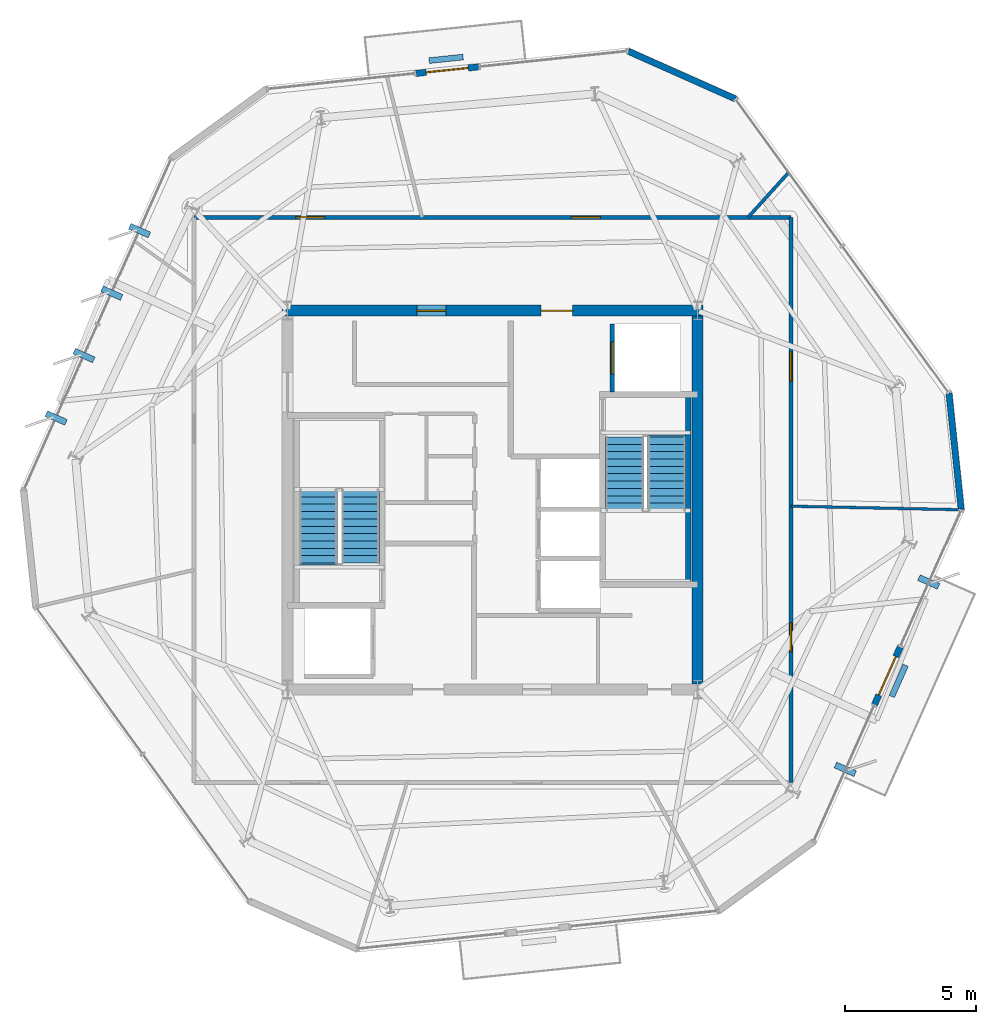
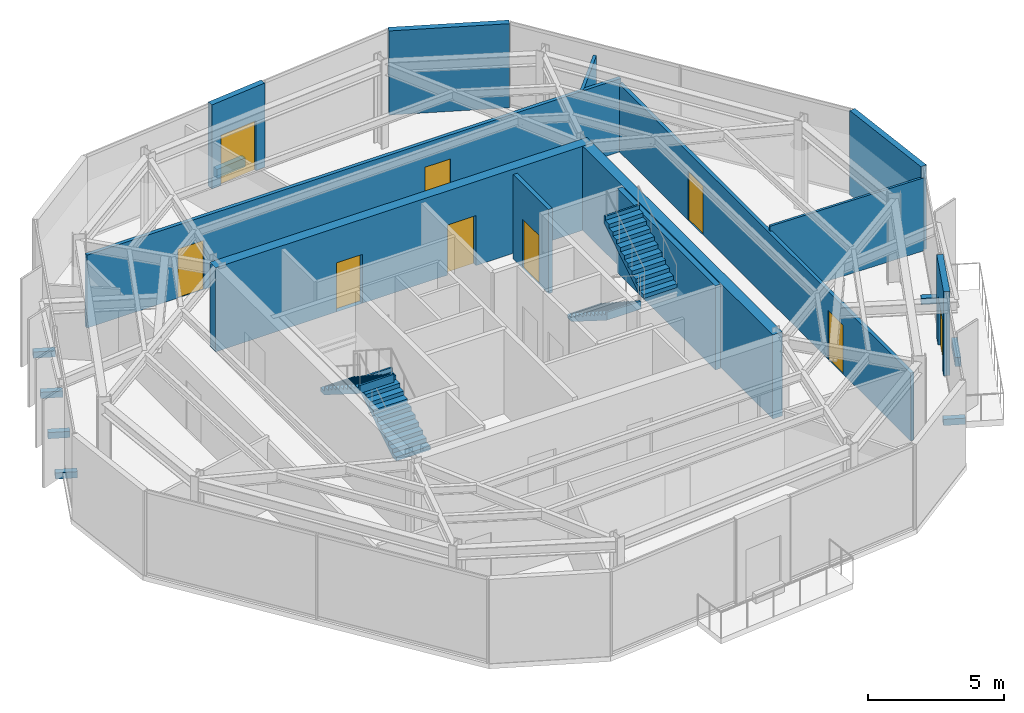
# One storey, part 8 of 11: 14 walls, 9 doors, 6 discrete accessories, 4 stair flights, 9 openings, 2 elements without a shape of their own.
"""IFC4 building model written with IfcOpenShell, lengths in metres."""

from ifc_helpers import new_model, si_unit, direction, frame, frame_2d, origin, origin_2d, place, context, subcontext, project, spatial, polyline, rectangle, outline, extrude, material, layer, layer_set, type_object, element, fill, aggregate, save


model = new_model("IFC4")

# Units and contexts
model_context = context("Model", 3, precision=1e-05, world=origin(), true_north=direction((0.0, 1.0)))
body_context = subcontext(model_context, "Body", "Model", "MODEL_VIEW")
ifc_project = project(units=[si_unit("LENGTHUNIT", "METRE"), si_unit("AREAUNIT", "SQUARE_METRE"), si_unit("VOLUMEUNIT", "CUBIC_METRE"), si_unit("PLANEANGLEUNIT", "RADIAN"), si_unit("MASSUNIT", "GRAM", prefix="KILO")], contexts=[model_context])

# Site, building, storey
site_placement = place(None, origin())
site = spatial("IfcSite", under=ifc_project, at=site_placement, CompositionType="ELEMENT")
building_placement = place(site_placement, origin())
building = spatial("IfcBuilding", under=site, at=building_placement, Name="Kranzbogen Civic Tower", CompositionType="ELEMENT")
storey_placement = place(building_placement, frame((0.0, 0.0, 290.199951171875)))
storey = spatial("IfcBuildingStorey", under=building, at=storey_placement, Name="L70", CompositionType="ELEMENT", Elevation=290.199951171875)

# Wall, openings, doors
ifc_material_1 = material(Name="Double-Stud Acoustic Gypsum Partition")
ifc_layer_1 = layer(ifc_material_1, 0.14990234375, Name="Double-Stud Acoustic Gypsum Partition")
ifc_layer_set_1 = layer_set([ifc_layer_1], Name="Double-Stud Acoustic Gypsum Partition")
wall_type_1 = type_object("IfcWallType", Name="Acoustic Corridor and Clinical Partition 150 mm", PredefinedType="PARTITIONING", material=ifc_layer_set_1)
wall_1_placement = place(storey_placement, frame((13.64990234375, 35.75, 0.0), z_axis=(0.0, 0.0, 1.0), x_axis=(1.0, 0.0, 0.0)))
wall_1 = element("IfcWall", 1, at=wall_1_placement, inside=storey, type_object=wall_type_1, Name="L70 corridor partition 01", PredefinedType="PARTITIONING", context=body_context, shape_type="SweptSolid", body=[
    extrude(rectangle(XDim=22.7001953125, YDim=0.14990234375, at=frame_2d((11.35009765625, 0.0))), origin(), (0.0, 0.0, 1.0), 3.280029296875),
])
opening_1_placement = place(wall_1_placement, frame((14.35595703125, 0.0, 0.0)))
opening_1 = element("IfcOpeningElement", 2, at=opening_1_placement, cuts=wall_1, Name="Opening D-COR60", PredefinedType="OPENING", context=body_context, shape_type="SweptSolid", body=[
    extrude(rectangle(XDim=1.10009765625, YDim=2.199951171875, at=frame_2d((0.550048828125, 1.10009765625))), frame((0.0, 0.0849609375, 0.0), z_axis=(0.0, -1.0, 0.0), x_axis=(1.0, 0.0, 0.0)), (0.0, 0.0, 1.0), 0.169921875),
])
opening_2_placement = place(wall_1_placement, frame((3.87109375, 0.0, 0.0)))
opening_2 = element("IfcOpeningElement", 3, at=opening_2_placement, cuts=wall_1, Name="Opening D-COR60", PredefinedType="OPENING", context=body_context, shape_type="SweptSolid", body=[
    extrude(rectangle(XDim=1.10009765625, YDim=2.199951171875, at=frame_2d((0.550048828125, 1.10009765625))), frame((0.0, 0.0849609375, 0.0), z_axis=(0.0, -1.0, 0.0), x_axis=(1.0, 0.0, 0.0)), (0.0, 0.0, 1.0), 0.169921875),
])
ifc_material_2 = material(Name="Oak Timber and Fire Core", Category="wood")
door_type_1 = type_object("IfcDoorType", Name="Corridor Acoustic Fire Door 1100x2200", OperationType="NOTDEFINED", PredefinedType="DOOR", material=ifc_material_2)
door_1_placement = place(opening_1_placement, origin())
door_1 = element("IfcDoor", 4, at=door_1_placement, inside=storey, type_object=door_type_1, Name="L70 Central Mail Post Room door", OperationType="SINGLE_SWING_RIGHT", OverallHeight=2.199951171875, OverallWidth=1.10009765625, PredefinedType="DOOR", context=body_context, shape_type="SweptSolid", body=[
    extrude(rectangle(XDim=1.10009765625, YDim=2.199951171875, at=frame_2d((0.550048828125, 1.10009765625))), frame((0.0, 0.02490234375, 0.0), z_axis=(0.0, -1.0, 0.0), x_axis=(1.0, 0.0, 0.0)), (0.0, 0.0, 1.0), 0.050048828125),
])
fill(opening_1, door_1)
door_2_placement = place(opening_2_placement, origin())
door_2 = element("IfcDoor", 5, at=door_2_placement, inside=storey, type_object=door_type_1, Name="L70 Duty Crew Control Room door", OperationType="SINGLE_SWING_LEFT", OverallHeight=2.199951171875, OverallWidth=1.10009765625, PredefinedType="DOOR", context=body_context, shape_type="SweptSolid", body=[
    extrude(rectangle(XDim=1.10009765625, YDim=2.199951171875, at=frame_2d((0.550048828125, 1.10009765625))), frame((0.0, 0.02490234375, 0.0), z_axis=(0.0, -1.0, 0.0), x_axis=(1.0, 0.0, 0.0)), (0.0, 0.0, 1.0), 0.050048828125),
])
fill(opening_2, door_2)

wall_2_placement = place(storey_placement, frame((36.35009765625, 35.75, 0.0), z_axis=(0.0, 0.0, 1.0), x_axis=(0.0, -1.0, 0.0)))
wall_2 = element("IfcWall", 6, at=wall_2_placement, inside=storey, type_object=wall_type_1, Name="L70 corridor partition 02", PredefinedType="PARTITIONING", context=body_context, shape_type="SweptSolid", body=[
    extrude(rectangle(XDim=21.5, YDim=0.14990234375, at=frame_2d((10.75, 0.0))), origin(), (0.0, 0.0, 1.0), 3.050048828125),
])
opening_3_placement = place(wall_2_placement, frame((15.4208984375, 0.0, 0.0)))
opening_3 = element("IfcOpeningElement", 7, at=opening_3_placement, cuts=wall_2, Name="Opening D-COR60", PredefinedType="OPENING", context=body_context, shape_type="SweptSolid", body=[
    extrude(rectangle(XDim=1.10009765625, YDim=2.199951171875, at=frame_2d((0.550048828125, 1.10009765625))), frame((0.0, 0.0849609375, 0.0), z_axis=(0.0, -1.0, 0.0), x_axis=(1.0, 0.0, 0.0)), (0.0, 0.0, 1.0), 0.169921875),
])
opening_4_placement = place(wall_2_placement, frame((5.126953125, 0.0, 0.0)))
opening_4 = element("IfcOpeningElement", 8, at=opening_4_placement, cuts=wall_2, Name="Opening D-COR60", PredefinedType="OPENING", context=body_context, shape_type="SweptSolid", body=[
    extrude(rectangle(XDim=1.10009765625, YDim=2.199951171875, at=frame_2d((0.550048828125, 1.10009765625))), frame((0.0, 0.0849609375, 0.0), z_axis=(0.0, -1.0, 0.0), x_axis=(1.0, 0.0, 0.0)), (0.0, 0.0, 1.0), 0.169921875),
])
door_3_placement = place(opening_3_placement, origin())
door_3 = element("IfcDoor", 9, at=door_3_placement, inside=storey, type_object=door_type_1, Name="L70 Protocol Entrance Reception door", OperationType="SINGLE_SWING_RIGHT", OverallHeight=2.199951171875, OverallWidth=1.10009765625, PredefinedType="DOOR", context=body_context, shape_type="SweptSolid", body=[
    extrude(rectangle(XDim=1.10009765625, YDim=2.199951171875, at=frame_2d((0.550048828125, 1.10009765625))), frame((0.0, 0.02490234375, 0.0), z_axis=(0.0, -1.0, 0.0), x_axis=(1.0, 0.0, 0.0)), (0.0, 0.0, 1.0), 0.050048828125),
])
fill(opening_3, door_3)
door_4_placement = place(opening_4_placement, origin())
door_4 = element("IfcDoor", 10, at=door_4_placement, inside=storey, type_object=door_type_1, Name="L70 Operations Security Control Room door", OperationType="SINGLE_SWING_LEFT", OverallHeight=2.199951171875, OverallWidth=1.10009765625, PredefinedType="DOOR", context=body_context, shape_type="SweptSolid", body=[
    extrude(rectangle(XDim=1.10009765625, YDim=2.199951171875, at=frame_2d((0.550048828125, 1.10009765625))), frame((0.0, 0.02490234375, 0.0), z_axis=(0.0, -1.0, 0.0), x_axis=(1.0, 0.0, 0.0)), (0.0, 0.0, 1.0), 0.050048828125),
])
fill(opening_4, door_4)

# Walls
ifc_material_3 = material(Name="Insulated Metal-Stud Gypsum Partition")
ifc_layer_2 = layer(ifc_material_3, 0.125, Name="Insulated Metal-Stud Gypsum Partition")
ifc_layer_set_2 = layer_set([ifc_layer_2], Name="Insulated Metal-Stud Gypsum Partition")
wall_type_2 = type_object("IfcWallType", Name="Acoustic Inter-Room Partition 125 mm", PredefinedType="PARTITIONING", material=ifc_layer_set_2)
wall_3_placement = place(storey_placement, frame((34.721923828125, 35.75, 0.0), z_axis=(0.0, 0.0, 1.0), x_axis=(0.670832257331, 0.741609117072, 0.0)))
element("IfcWall", 11, at=wall_3_placement, inside=storey, type_object=wall_type_2, Name="L70 radial room partition 07", PredefinedType="PARTITIONING", context=body_context, shape_type="SweptSolid", body=[
    extrude(rectangle(XDim=2.286865234375, YDim=0.125, at=frame_2d((1.1435546875, 0.0))), origin(), (0.0, 0.0, 1.0), 3.280029296875),
])
ifc_material_4 = material(Name="Architectural Precast Terracotta Concrete C40/50", Category="masonry")
ifc_layer_3 = layer(ifc_material_4, 0.219970703125, Name="Architectural Precast Terracotta Concrete C40/50")
ifc_layer_set_3 = layer_set([ifc_layer_3], Name="Architectural Precast Terracotta Concrete C40/50")
wall_type_3 = type_object("IfcWallType", Name="Architectural Tree Planter Kerb Wall 220 mm", PredefinedType="USERDEFINED", material=ifc_layer_set_3)
wall_4_placement = place(storey_placement, frame((23.883056640625, 41.845947265625, 0.0), z_axis=(0.0, 0.0, 1.0), x_axis=(-0.994506482607, -0.104675002043, 0.0)))
element("IfcWall", 12, at=wall_4_placement, inside=storey, type_object=wall_type_3, Name="L70 landscaped tree balcony planter L70-TB1", ObjectType="PLANTER_WALL", PredefinedType="USERDEFINED", context=body_context, shape_type="SweptSolid", body=[
    extrude(rectangle(XDim=1.299072265625, YDim=0.219970703125, at=frame_2d((0.6494140625, 0.0))), origin(), (0.0, 0.0, 1.0), 0.400146484375),
])
wall_5_placement = place(storey_placement, frame((40.18701171875, 17.527099609375, 0.0), z_axis=(0.0, 0.0, 1.0), x_axis=(0.406190736957, 0.913788315317, 0.0)))
element("IfcWall", 13, at=wall_5_placement, inside=storey, type_object=wall_type_3, Name="L70 landscaped tree balcony planter L70-ST", ObjectType="PLANTER_WALL", PredefinedType="USERDEFINED", context=body_context, shape_type="SweptSolid", body=[
    extrude(rectangle(XDim=1.300048828125, YDim=0.219970703125, at=frame_2d((0.64990234375, 0.0))), origin(), (0.0, 0.0, 1.0), 0.400146484375),
])

# Wall, openings, doors
ifc_material_5 = material(Name="Concrete C45/55", Category="concrete")
ifc_layer_4 = layer(ifc_material_5, 0.419921875, Name="Concrete C45/55")
ifc_layer_set_4 = layer_set([ifc_layer_4], Name="Concrete C45/55")
wall_type_4 = type_object("IfcWallType", Name="Central Core Shear Wall 420 mm", PredefinedType="SHEAR", material=ifc_layer_set_4)
wall_6_placement = place(storey_placement, frame((33.010009765625, 32.199951171875, 0.0), z_axis=(0.0, 0.0, 1.0), x_axis=(-1.0, 0.0, 0.0)))
wall_6 = element("IfcWall", 14, at=wall_6_placement, inside=storey, type_object=wall_type_4, Name="L70 central core North shear wall", PredefinedType="SHEAR", context=body_context, shape_type="SweptSolid", body=[
    extrude(rectangle(XDim=16.02001953125, YDim=0.419921875, at=frame_2d((8.010009765625, 0.0))), origin(), (0.0, 0.0, 1.0), 3.780029296875),
])
opening_5_placement = place(wall_6_placement, frame((4.9599609375, 0.0, 0.0)))
opening_5 = element("IfcOpeningElement", 15, at=opening_5_placement, cuts=wall_6, Name="Opening D-EX120", PredefinedType="OPENING", context=body_context, shape_type="SweptSolid", body=[
    extrude(rectangle(XDim=1.199951171875, YDim=2.25, at=frame_2d((0.60009765625, 1.125))), frame((0.0, 0.219970703125, 0.0), z_axis=(0.0, -1.0, 0.0), x_axis=(1.0, 0.0, 0.0)), (0.0, 0.0, 1.0), 0.43994140625),
])
opening_6_placement = place(wall_6_placement, frame((9.784912109375, 0.0, 0.0)))
opening_6 = element("IfcOpeningElement", 16, at=opening_6_placement, cuts=wall_6, Name="Opening D-COR60", PredefinedType="OPENING", context=body_context, shape_type="SweptSolid", body=[
    extrude(rectangle(XDim=1.10009765625, YDim=2.199951171875, at=frame_2d((0.550048828125, 1.10009765625))), frame((0.0, 0.219970703125, 0.0), z_axis=(0.0, -1.0, 0.0), x_axis=(1.0, 0.0, 0.0)), (0.0, 0.0, 1.0), 0.43994140625),
])
door_5_placement = place(opening_6_placement, origin())
door_5 = element("IfcDoor", 17, at=door_5_placement, inside=storey, type_object=door_type_1, Name="L70 DAT1 comms room door", OperationType="SINGLE_SWING_LEFT", OverallHeight=2.199951171875, OverallWidth=1.10009765625, PredefinedType="DOOR", context=body_context, shape_type="SweptSolid", body=[
    extrude(rectangle(XDim=1.10009765625, YDim=2.199951171875, at=frame_2d((0.550048828125, 1.10009765625))), frame((0.0, 0.02490234375, 0.0), z_axis=(0.0, -1.0, 0.0), x_axis=(1.0, 0.0, 0.0)), (0.0, 0.0, 1.0), 0.050048828125),
])
fill(opening_6, door_5)
ifc_material_6 = material(Name="Steel S355", Category="steel")
door_type_2 = type_object("IfcDoorType", Name="Exit Passageway Fire Door 1200x2250", OperationType="NOTDEFINED", PredefinedType="DOOR", material=ifc_material_6)
door_6_placement = place(opening_5_placement, origin())
door_6 = element("IfcDoor", 18, at=door_6_placement, inside=storey, type_object=door_type_2, Name="L70 East firefighting lobby corridor door", OperationType="SINGLE_SWING_RIGHT", OverallHeight=2.25, OverallWidth=1.199951171875, PredefinedType="DOOR", context=body_context, shape_type="SweptSolid", body=[
    extrude(rectangle(XDim=1.199951171875, YDim=2.25, at=frame_2d((0.60009765625, 1.125))), frame((0.0, 0.02490234375, 0.0), z_axis=(0.0, -1.0, 0.0), x_axis=(1.0, 0.0, 0.0)), (0.0, 0.0, 1.0), 0.050048828125),
])
fill(opening_5, door_6)

# Walls
wall_7_placement = place(storey_placement, frame((32.800048828125, 18.010009765625, 0.0), z_axis=(0.0, 0.0, 1.0), x_axis=(0.0, 1.0, 0.0)))
element("IfcWall", 19, at=wall_7_placement, inside=storey, type_object=wall_type_4, Name="L70 central core East shear wall", PredefinedType="SHEAR", context=body_context, shape_type="SweptSolid", body=[
    extrude(rectangle(XDim=13.97998046875, YDim=0.419921875, at=frame_2d((6.989990234375, 0.0))), origin(), (0.0, 0.0, 1.0), 3.780029296875),
])
ifc_layer_5 = layer(ifc_material_5, 0.219970703125, Name="Concrete C45/55")
ifc_layer_set_5 = layer_set([ifc_layer_5], Name="Concrete C45/55")
wall_type_5 = type_object("IfcWallType", Name="Core Internal Stair Structural Wall 220 mm", PredefinedType="SOLIDWALL", material=ifc_layer_set_5)
wall_8_placement = place(storey_placement, frame((32.445068359375, 29.010009765625, 0.0), z_axis=(0.0, 0.0, 1.0), x_axis=(0.0, -1.0, 0.0)))
element("IfcWall", 20, at=wall_8_placement, inside=storey, type_object=wall_type_5, Name="L70 ST-T2 East structural stair wall", PredefinedType="SOLIDWALL", context=body_context, shape_type="SweptSolid", body=[
    extrude(rectangle(XDim=7.219970703125, YDim=0.219970703125, at=frame_2d((3.60986328125, 0.0))), origin(), (0.0, 0.0, 1.0), 3.780029296875),
])
ifc_material_7 = material(Name="Demountable Aluminium and Gypsum Partition", Category="aluminium")
ifc_layer_6 = layer(ifc_material_7, 0.10009765625, Name="Demountable Aluminium and Gypsum Partition")
ifc_layer_set_6 = layer_set([ifc_layer_6], Name="Demountable Aluminium and Gypsum Partition")
wall_type_6 = type_object("IfcWallType", Name="Demountable Office Partition 100 mm", PredefinedType="MOVABLE", material=ifc_layer_set_6)
wall_9_placement = place(storey_placement, frame((36.35009765625, 24.763916015625, 0.0), z_axis=(0.0, 0.0, 1.0), x_axis=(0.999781743548, -0.020891751216, 0.0)))
element("IfcWall", 21, at=wall_9_placement, inside=storey, type_object=wall_type_6, Name="L70 radial room partition 06", PredefinedType="MOVABLE", context=body_context, shape_type="SweptSolid", body=[
    extrude(rectangle(XDim=6.46240234375, YDim=0.10009765625, at=frame_2d((3.231201171875, 0.0))), origin(), (0.0, 0.0, 1.0), 3.280029296875),
])

# Wall, opening, door
ifc_material_8 = material(Name="Gypsum Fireboard Shaftliner")
ifc_layer_7 = layer(ifc_material_8, 0.175048828125, Name="Gypsum Fireboard Shaftliner")
ifc_layer_set_7 = layer_set([ifc_layer_7], Name="Gypsum Fireboard Shaftliner")
wall_type_7 = type_object("IfcWallType", Name="Fire-Rated Lift and Service Shaft Wall 175 mm", PredefinedType="PARTITIONING", material=ifc_layer_set_7)
wall_10_placement = place(storey_placement, frame((29.550048828125, 29.10009765625, 0.0), z_axis=(0.0, 0.0, 1.0), x_axis=(0.0, 1.0, 0.0)))
wall_10 = element("IfcWall", 22, at=wall_10_placement, inside=storey, type_object=wall_type_7, Name="L70 lift FF-02 landing wall", PredefinedType="PARTITIONING", context=body_context, shape_type="SweptSolid", body=[
    extrude(rectangle(XDim=2.599853515625, YDim=0.175048828125, at=frame_2d((1.2998046875, 0.0))), origin(), (0.0, 0.0, 1.0), 3.780029296875),
])
opening_7_placement = place(wall_10_placement, frame((0.699951171875, 0.0, 0.0)))
opening_7 = element("IfcOpeningElement", 23, at=opening_7_placement, cuts=wall_10, Name="Opening LD-FF-02", PredefinedType="OPENING", context=body_context, shape_type="SweptSolid", body=[
    extrude(rectangle(XDim=1.199951171875, YDim=2.199951171875, at=frame_2d((0.60009765625, 1.10009765625))), frame((0.0, 0.09765625, 0.0), z_axis=(0.0, -1.0, 0.0), x_axis=(1.0, 0.0, 0.0)), (0.0, 0.0, 1.0), 0.195068359375),
])
ifc_material_9 = material(Name="Pale Anodised Aluminium", Category="aluminium")
door_type_3 = type_object("IfcDoorType", Name="Firefighting and Stretcher Lift Sliding Landing Door 1200x2200", OperationType="DOUBLE_DOOR_SLIDING", PredefinedType="DOOR", material=ifc_material_9)
door_7_placement = place(opening_7_placement, origin())
door_7 = element("IfcDoor", 24, at=door_7_placement, inside=storey, type_object=door_type_3, Name="L70 lift FF-02 sliding landing door", OperationType="DOUBLE_DOOR_SLIDING", OverallHeight=2.199951171875, OverallWidth=1.199951171875, PredefinedType="DOOR", context=body_context, shape_type="SweptSolid", body=[
    extrude(rectangle(XDim=1.199951171875, YDim=2.199951171875, at=frame_2d((0.60009765625, 1.10009765625))), frame((0.0, 0.02490234375, 0.0), z_axis=(0.0, -1.0, 0.0), x_axis=(1.0, 0.0, 0.0)), (0.0, 0.0, 1.0), 0.050048828125),
])
fill(opening_7, door_7)

ifc_layer_8 = layer(ifc_material_9, 0.239990234375, Name="Pale Anodised Aluminium")
ifc_layer_set_8 = layer_set([ifc_layer_8], Name="Pale Anodised Aluminium")
wall_type_8 = type_object("IfcWallType", Name="Insulated Aluminium Facade Portal Wall 240 mm", PredefinedType="STANDARD", material=ifc_layer_set_8)
wall_11_placement = place(storey_placement, frame((24.47509765625, 41.472900390625, 0.0), z_axis=(0.0, 0.0, 1.0), x_axis=(-0.994518820344, -0.104557716027, 0.0)))
wall_11 = element("IfcWall", 25, at=wall_11_placement, inside=storey, type_object=wall_type_8, Name="L70 exterior entrance portal wall 1", PredefinedType="STANDARD", context=body_context, shape_type="SweptSolid", body=[
    extrude(rectangle(XDim=2.400390625, YDim=0.239990234375, at=frame_2d((1.2001953125, 0.0))), origin(), (0.0, 0.0, 1.0), 3.780029296875),
])
opening_8_placement = place(wall_11_placement, frame((0.39990234375, 0.0, 0.0)))
opening_8 = element("IfcOpeningElement", 26, at=opening_8_placement, cuts=wall_11, Name="Opening D-TER", PredefinedType="OPENING", context=body_context, shape_type="SweptSolid", body=[
    extrude(rectangle(XDim=1.60009765625, YDim=2.25, at=frame_2d((0.800048828125, 1.125))), frame((0.0, 0.1298828125, 0.0), z_axis=(0.0, -1.0, 0.0), x_axis=(1.0, 0.0, 0.0)), (0.0, 0.0, 1.0), 0.260009765625),
])
ifc_material_10 = material(Name="Anodised Bronze and Triple Glass", Category="glass")
door_type_4 = type_object("IfcDoorType", Name="Glazed Terrace and Balcony Double Door 1600x2250", OperationType="DOUBLE_DOOR_SINGLE_SWING", PredefinedType="DOOR", material=ifc_material_10)
door_8_placement = place(opening_8_placement, frame((1.60009765625, 0.0, 0.0), z_axis=(0.0, 0.0, 1.0), x_axis=(-1.0, 0.0, 0.0)))
door_8 = element("IfcDoor", 27, at=door_8_placement, inside=storey, type_object=door_type_4, Name="L70 tree balcony access door L70-TB1", OperationType="DOUBLE_DOOR_SINGLE_SWING", OverallHeight=2.25, OverallWidth=1.60009765625, PredefinedType="DOOR", context=body_context, shape_type="SweptSolid", body=[
    extrude(rectangle(XDim=1.60009765625, YDim=2.25, at=frame_2d((0.800048828125, 1.125))), frame((0.0, 0.02490234375, 0.0), z_axis=(0.0, -1.0, 0.0), x_axis=(1.0, 0.0, 0.0)), (0.0, 0.0, 1.0), 0.050048828125),
])
fill(opening_8, door_8)

wall_12_placement = place(storey_placement, frame((39.529052734375, 17.218017578125, 0.0), z_axis=(0.0, 0.0, 1.0), x_axis=(0.406563117163, 0.913622696611, 0.0)))
wall_12 = element("IfcWall", 28, at=wall_12_placement, inside=storey, type_object=wall_type_8, Name="L70 exterior entrance portal wall 1", PredefinedType="STANDARD", context=body_context, shape_type="SweptSolid", body=[
    extrude(rectangle(XDim=2.400146484375, YDim=0.239990234375, at=frame_2d((1.2001953125, 0.0))), origin(), (0.0, 0.0, 1.0), 3.780029296875),
])
opening_9_placement = place(wall_12_placement, frame((0.39990234375, 0.0, 0.0)))
opening_9 = element("IfcOpeningElement", 29, at=opening_9_placement, cuts=wall_12, Name="Opening D-TER", PredefinedType="OPENING", context=body_context, shape_type="SweptSolid", body=[
    extrude(rectangle(XDim=1.60009765625, YDim=2.25, at=frame_2d((0.800048828125, 1.125))), frame((0.0, 0.1298828125, 0.0), z_axis=(0.0, -1.0, 0.0), x_axis=(1.0, 0.0, 0.0)), (0.0, 0.0, 1.0), 0.260009765625),
])
door_9_placement = place(opening_9_placement, frame((1.60009765625, 0.0, 0.0), z_axis=(0.0, 0.0, 1.0), x_axis=(-1.0, 0.0, 0.0)))
door_9 = element("IfcDoor", 30, at=door_9_placement, inside=storey, type_object=door_type_4, Name="L70 spiral terrace access door L70-ST", OperationType="DOUBLE_DOOR_SINGLE_SWING", OverallHeight=2.25, OverallWidth=1.60009765625, PredefinedType="DOOR", context=body_context, shape_type="SweptSolid", body=[
    extrude(rectangle(XDim=1.60009765625, YDim=2.25, at=frame_2d((0.800048828125, 1.125))), frame((0.0, 0.02490234375, 0.0), z_axis=(0.0, -1.0, 0.0), x_axis=(1.0, 0.0, 0.0)), (0.0, 0.0, 1.0), 0.050048828125),
])
fill(opening_9, door_9)

# Walls
wall_13_placement = place(storey_placement, frame((42.827880859375, 24.62890625, 0.0), z_axis=(0.0, 0.0, 1.0), x_axis=(-0.104553844109, 0.994519227407, 0.0)))
element("IfcWall", 31, at=wall_13_placement, inside=storey, type_object=wall_type_8, Name="L70 chamfered corner facade spandrel 5", PredefinedType="STANDARD", context=body_context, shape_type="SweptSolid", body=[
    extrude(rectangle(XDim=4.464599609375, YDim=0.239990234375, at=frame_2d((2.232421875, 0.0))), origin(), (0.0, 0.0, 1.0), 3.780029296875),
])
wall_14_placement = place(storey_placement, frame((34.235107421875, 40.25390625, 0.0), z_axis=(0.0, 0.0, 1.0), x_axis=(-0.913506843716, 0.406823360297, 0.0)))
element("IfcWall", 32, at=wall_14_placement, inside=storey, type_object=wall_type_8, Name="L70 chamfered corner facade spandrel 6", PredefinedType="STANDARD", context=body_context, shape_type="SweptSolid", body=[
    extrude(rectangle(XDim=4.46435546875, YDim=0.239990234375, at=frame_2d((2.232177734375, 0.0))), origin(), (0.0, 0.0, 1.0), 3.780029296875),
])

# Stair, stair flights
ifc_material_11 = material(Name="Precast concrete C40/50", Category="concrete")
stair_type_1 = type_object("IfcStairType", Name="Tower Core Pressurized Dogleg Stair 1450", PredefinedType="HALF_TURN_STAIR", material=ifc_material_11)
stair_1_placement = place(storey_placement, origin())
stair_1 = element("IfcStair", 33, at=stair_1_placement, inside=storey, type_object=stair_type_1, Name="L70 Tower Core Pressurized Stair 1", PredefinedType="HALF_TURN_STAIR")
stair_flight_type = type_object("IfcStairFlightType", Name="Precast Concrete Stair Flight R180", PredefinedType="STRAIGHT", material=ifc_material_11)
stair_flight_1_placement = place(storey_placement, frame((19.97509765625, 22.60009765625, 0.0), z_axis=(0.0, 0.0, 1.0), x_axis=(0.0, 1.0, 0.0)))
stair_flight_1 = element("IfcStairFlight", 34, at=stair_flight_1_placement, type_object=stair_flight_type, Name="ST-T1 flight 1", NumberOfRisers=11, NumberOfTreads=10, PredefinedType="STRAIGHT", RiserHeight=0.181818182, TreadLength=0.28, context=body_context, shape_type="SweptSolid", body=[
    extrude(outline(polyline([(0.0, 0.0), (0.0, 0.181884765625), (0.280029296875, 0.181884765625), (0.280029296875, 0.363525390625), (0.56005859375, 0.363525390625), (0.56005859375, 0.54541015625), (0.840087890625, 0.54541015625), (0.840087890625, 0.727294921875), (1.1201171875, 0.727294921875), (1.1201171875, 0.9091796875), (1.39990234375, 0.9091796875), (1.39990234375, 1.0908203125), (1.679931640625, 1.0908203125), (1.679931640625, 1.272705078125), (1.9599609375, 1.272705078125), (1.9599609375, 1.45458984375), (2.239990234375, 1.45458984375), (2.239990234375, 1.636474609375), (2.52001953125, 1.636474609375), (2.52001953125, 1.818115234375), (2.800048828125, 1.818115234375), (2.800048828125, 2.0), (2.880126953125, 2.0), (2.880126953125, 1.639404296875), (0.275146484375, 0.0), (0.0, 0.0)])), frame((0.0, 0.72509765625, 0.0), z_axis=(0.0, -1.0, 0.0), x_axis=(1.0, 0.0, 0.0)), (0.0, 0.0, 1.0), 1.449951171875),
])
stair_flight_2_placement = place(storey_placement, frame((18.375, 25.39990234375, 2.0), z_axis=(0.0, 0.0, 1.0), x_axis=(0.0, -1.0, 0.0)))
stair_flight_2 = element("IfcStairFlight", 35, at=stair_flight_2_placement, type_object=stair_flight_type, Name="ST-T1 flight 2", NumberOfRisers=11, NumberOfTreads=10, PredefinedType="STRAIGHT", RiserHeight=0.181818182, TreadLength=0.28, context=body_context, shape_type="SweptSolid", body=[
    extrude(outline(polyline([(0.0, 0.0), (0.0, 0.181884765625), (0.280029296875, 0.181884765625), (0.280029296875, 0.363525390625), (0.56005859375, 0.363525390625), (0.56005859375, 0.54541015625), (0.840087890625, 0.54541015625), (0.840087890625, 0.727294921875), (1.1201171875, 0.727294921875), (1.1201171875, 0.9091796875), (1.39990234375, 0.9091796875), (1.39990234375, 1.0908203125), (1.679931640625, 1.0908203125), (1.679931640625, 1.272705078125), (1.9599609375, 1.272705078125), (1.9599609375, 1.45458984375), (2.239990234375, 1.45458984375), (2.239990234375, 1.636474609375), (2.52001953125, 1.636474609375), (2.52001953125, 1.818115234375), (2.800048828125, 1.818115234375), (2.800048828125, 2.0), (2.880126953125, 2.0), (2.880126953125, 1.639404296875), (0.275146484375, 0.0), (0.0, 0.0)])), frame((0.0, 0.72509765625, 0.0), z_axis=(0.0, -1.0, 0.0), x_axis=(1.0, 0.0, 0.0)), (0.0, 0.0, 1.0), 1.449951171875),
])
aggregate(stair_1, [stair_flight_1, stair_flight_2])

stair_type_2 = type_object("IfcStairType", Name="Tower Core Secondary Dogleg Stair 1450", PredefinedType="HALF_TURN_STAIR", material=ifc_material_11)
stair_2_placement = place(storey_placement, origin())
stair_2 = element("IfcStair", 36, at=stair_2_placement, inside=storey, type_object=stair_type_2, Name="L70 Tower Core Pressurized Stair 2", PredefinedType="HALF_TURN_STAIR")
stair_flight_3_placement = place(storey_placement, frame((30.02490234375, 27.39990234375, 0.0), z_axis=(0.0, 0.0, 1.0), x_axis=(0.0, -1.0, 0.0)))
stair_flight_3 = element("IfcStairFlight", 37, at=stair_flight_3_placement, type_object=stair_flight_type, Name="ST-T2 flight 1", NumberOfRisers=11, NumberOfTreads=10, PredefinedType="STRAIGHT", RiserHeight=0.181818182, TreadLength=0.28, context=body_context, shape_type="SweptSolid", body=[
    extrude(outline(polyline([(0.0, 0.0), (0.0, 0.181884765625), (0.280029296875, 0.181884765625), (0.280029296875, 0.363525390625), (0.56005859375, 0.363525390625), (0.56005859375, 0.54541015625), (0.840087890625, 0.54541015625), (0.840087890625, 0.727294921875), (1.1201171875, 0.727294921875), (1.1201171875, 0.9091796875), (1.39990234375, 0.9091796875), (1.39990234375, 1.0908203125), (1.679931640625, 1.0908203125), (1.679931640625, 1.272705078125), (1.9599609375, 1.272705078125), (1.9599609375, 1.45458984375), (2.239990234375, 1.45458984375), (2.239990234375, 1.636474609375), (2.52001953125, 1.636474609375), (2.52001953125, 1.818115234375), (2.800048828125, 1.818115234375), (2.800048828125, 2.0), (2.880126953125, 2.0), (2.880126953125, 1.639404296875), (0.275146484375, 0.0), (0.0, 0.0)])), frame((0.0, 0.72509765625, 0.0), z_axis=(0.0, -1.0, 0.0), x_axis=(1.0, 0.0, 0.0)), (0.0, 0.0, 1.0), 1.449951171875),
])
stair_flight_4_placement = place(storey_placement, frame((31.625, 24.60009765625, 2.0), z_axis=(0.0, 0.0, 1.0), x_axis=(0.0, 1.0, 0.0)))
stair_flight_4 = element("IfcStairFlight", 38, at=stair_flight_4_placement, type_object=stair_flight_type, Name="ST-T2 flight 2", NumberOfRisers=11, NumberOfTreads=10, PredefinedType="STRAIGHT", RiserHeight=0.181818182, TreadLength=0.28, context=body_context, shape_type="SweptSolid", body=[
    extrude(outline(polyline([(0.0, 0.0), (0.0, 0.181884765625), (0.280029296875, 0.181884765625), (0.280029296875, 0.363525390625), (0.56005859375, 0.363525390625), (0.56005859375, 0.54541015625), (0.840087890625, 0.54541015625), (0.840087890625, 0.727294921875), (1.1201171875, 0.727294921875), (1.1201171875, 0.9091796875), (1.39990234375, 0.9091796875), (1.39990234375, 1.0908203125), (1.679931640625, 1.0908203125), (1.679931640625, 1.272705078125), (1.9599609375, 1.272705078125), (1.9599609375, 1.45458984375), (2.239990234375, 1.45458984375), (2.239990234375, 1.636474609375), (2.52001953125, 1.636474609375), (2.52001953125, 1.818115234375), (2.800048828125, 1.818115234375), (2.800048828125, 2.0), (2.880126953125, 2.0), (2.880126953125, 1.639404296875), (0.275146484375, 0.0), (0.0, 0.0)])), frame((0.0, 0.72509765625, 0.0), z_axis=(0.0, -1.0, 0.0), x_axis=(1.0, 0.0, 0.0)), (0.0, 0.0, 1.0), 1.449951171875),
])
aggregate(stair_2, [stair_flight_3, stair_flight_4])

# Discrete accessories
discrete_accessory_type = type_object("IfcDiscreteAccessoryType", Name="Structural Curtain-Wall Fin Support Bracket", PredefinedType="BRACKET", material=ifc_material_6)
for number, where, z_axis, x_axis, name in (
    (39, (11.580078125, 35.243896484375, -0.25), (0.0, 0.0, 1.0), (-0.913545457643, 0.406736643076, 0.0), "L70 facade fin support bracket F2-1"),
    (40, (10.52197265625, 32.868896484375, -0.25), (0.0, 0.0, 1.0), (-0.913545457643, 0.406736643076, 0.0), "L70 facade fin support bracket F2-2"),
    (41, (9.465087890625, 30.493896484375, -0.25), (0.0, 0.0, 1.0), (-0.913545457643, 0.406736643076, 0.0), "L70 facade fin support bracket F2-3"),
    (42, (8.406982421875, 28.118896484375, -0.25), (0.0, 0.0, 1.0), (-0.913545457643, 0.406736643076, 0.0), "L70 facade fin support bracket F2-4"),
    (43, (38.419921875, 14.756103515625, -0.25), (0.0, 0.0, 1.0), (0.913545457643, -0.406736643076, 0.0), "L70 facade fin support bracket F5-1"),
    (44, (41.593017578125, 21.881103515625, -0.25), (0.0, 0.0, 1.0), (0.913545457643, -0.406736643076, 0.0), "L70 facade fin support bracket F5-4"),
):
    element("IfcDiscreteAccessory", number, at=place(storey_placement, frame(where, z_axis=z_axis, x_axis=x_axis)), inside=storey, type_object=discrete_accessory_type, Name=name, PredefinedType="BRACKET", context=body_context, shape_type="SweptSolid", body=[
        extrude(rectangle(XDim=0.820068359375, YDim=0.239990234375, at=origin_2d()), origin(), (0.0, 0.0, 1.0), 0.280029296875),
    ])

save(model, "model.ifc")
